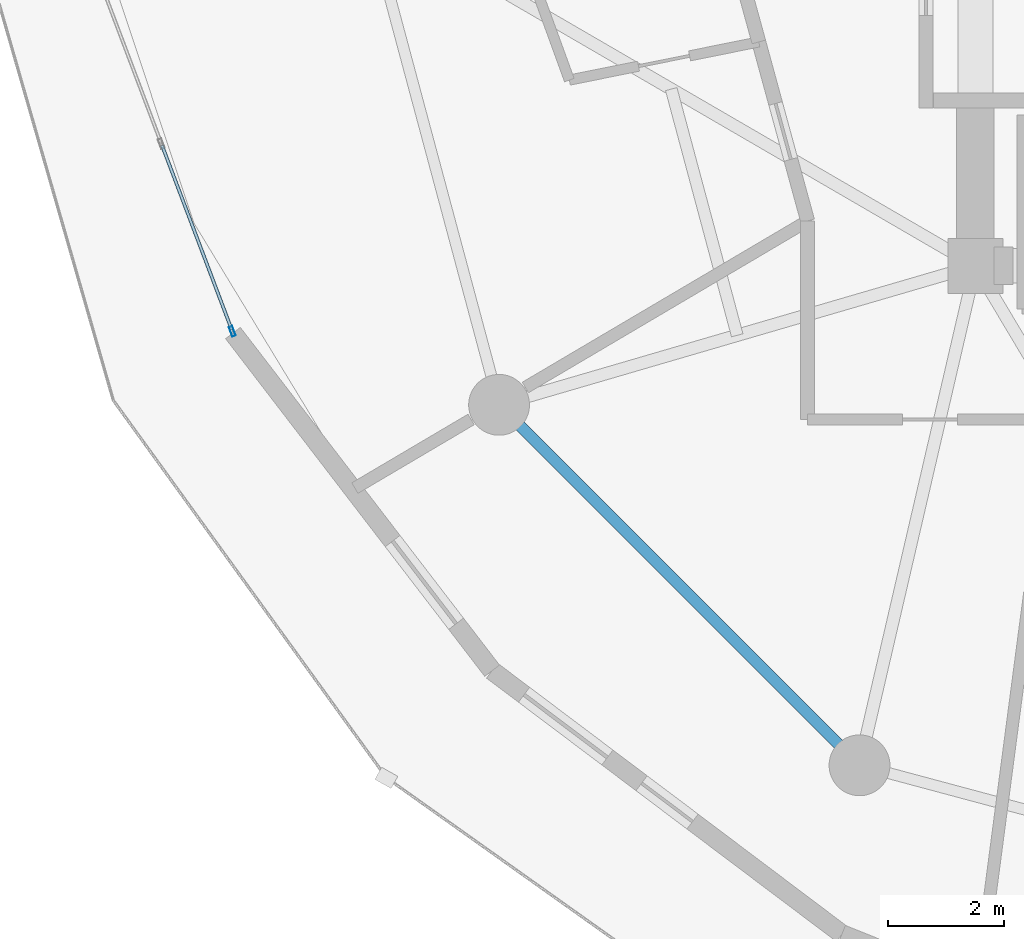
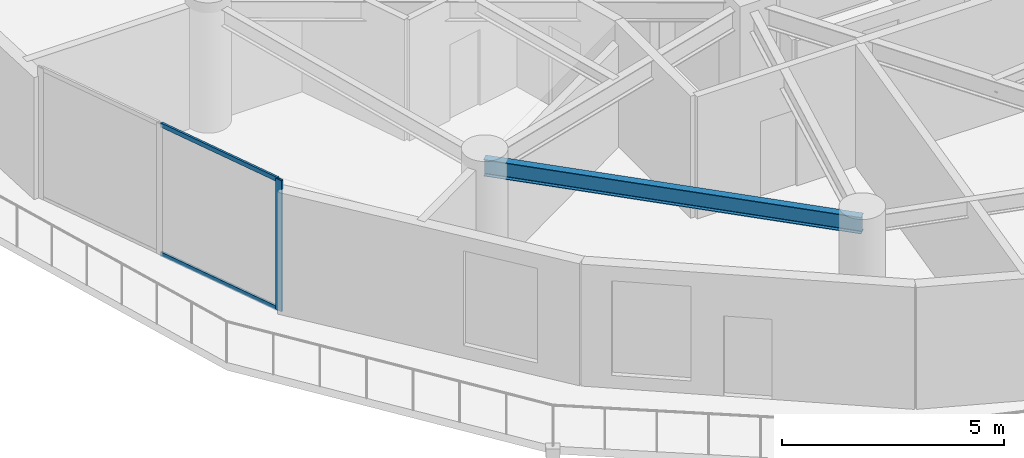
# One storey, part 2 of 25: 3 members, 1 beam, 1 element without a shape of its own.
"""IFC4 building model written with IfcOpenShell, lengths in metres."""

from ifc_helpers import new_model, si_unit, direction, frame, origin, origin_2d, place, context, subcontext, project, spatial, hollow_rectangle, i_section, extrude, source, transform, mapped, material, layer, layer_set, material_profile, profile_set, type_object, element, aggregate, save


model = new_model("IFC4")

# Units and contexts
model_context = context("Model", 3, precision=1e-05, world=origin(), true_north=direction((0.0, 1.0)))
body_context = subcontext(model_context, "Body", "Model", "MODEL_VIEW")
ifc_project = project(units=[si_unit("LENGTHUNIT", "METRE"), si_unit("AREAUNIT", "SQUARE_METRE"), si_unit("VOLUMEUNIT", "CUBIC_METRE"), si_unit("PLANEANGLEUNIT", "RADIAN"), si_unit("MASSUNIT", "GRAM", prefix="KILO")], contexts=[model_context])

# Site, building, storey
site_placement = place(None, origin())
site = spatial("IfcSite", under=ifc_project, at=site_placement, CompositionType="ELEMENT")
building_placement = place(site_placement, origin())
building = spatial("IfcBuilding", under=site, at=building_placement, Name="Solvirekh Grand Hotel", CompositionType="ELEMENT")
storey_placement = place(building_placement, frame((0.0, 0.0, 102.60009765625)))
storey = spatial("IfcBuildingStorey", under=building, at=storey_placement, Name="L25", CompositionType="ELEMENT", Elevation=102.60009765625)

# Beam
ifc_material_1 = material(Name="Steel S355", Category="steel")
ifc_material_profile_1 = material_profile(ifc_material_1, i_section(OverallWidth=0.18994140625, OverallDepth=0.45703125, WebThickness=0.009033203125, FlangeThickness=0.013916015625, FilletRadius=0.012939453125, at=origin_2d()), Name="W460X74")
ifc_profile_set_1 = profile_set([ifc_material_profile_1], Name="Steel S355")
beam_type = type_object("IfcBeamType", Name="Spandrel_Ring_W460", PredefinedType="SPANDREL", material=ifc_profile_set_1)
beam_placement = place(storey_placement, frame((-14.721923828125, -8.5, 3.121826171875), z_axis=(0.707106781187, -0.707106781187, 0.0), x_axis=(0.707106781187, 0.707106781187, 0.0)))
element("IfcBeam", 1, at=beam_placement, inside=storey, type_object=beam_type, Name="L25 perimeter spandrel beam 8", PredefinedType="SPANDREL", context=body_context, shape_type="SweptSolid", body=[
    extrude(i_section(OverallWidth=0.18994140625, OverallDepth=0.45703125, WebThickness=0.009033203125, FlangeThickness=0.013916015625, FilletRadius=0.012939453125, at=origin_2d()), origin(), (0.0, 0.0, 1.0), 8.799072265625),
])

# Curtain wall, members
ifc_material_2 = material(Name="Anodized Bronze Aluminium 6063-T6", Category="aluminium")
ifc_layer = layer(ifc_material_2, 0.175048828125)
ifc_layer_set = layer_set([ifc_layer], Name="Anodized Bronze Aluminium 6063-T6")
curtain_wall_type = type_object("IfcCurtainWallType", Name="CW_Sys3_MidZoneFlushBronzeCW", PredefinedType="NOTDEFINED", material=ifc_layer_set)
curtain_wall_placement = place(storey_placement, origin())
curtain_wall = element("IfcCurtainWall", 2, at=curtain_wall_placement, inside=storey, type_object=curtain_wall_type, Name="L25 unitised bronze-glass curtain wall CW-L25-C13", PredefinedType="NOTDEFINED")
ifc_material_profile_2 = material_profile(ifc_material_2, hollow_rectangle(XDim=0.06494140625, YDim=0.175048828125, WallThickness=0.0048828125, at=origin_2d()), Name="ALU RHS 175X65X5")
ifc_profile_set_2 = profile_set([ifc_material_profile_2], Name="Anodized Bronze Aluminium 6063-T6")
member_type_1 = type_object("IfcMemberType", Name="CWMullion_Sys3", PredefinedType="MULLION", material=ifc_profile_set_2)
shared_shape_1 = source(origin(), body_context, "Body", "SweptSolid", [
    extrude(hollow_rectangle(XDim=0.06494140625, YDim=0.175048828125, WallThickness=0.0048828125, at=origin_2d()), origin(), (0.0, 0.0, 1.0), 3.599853515625),
])
member_1_placement = place(storey_placement, frame((-19.326416015625, -7.230712890625, 0.0), z_axis=(0.0, 0.0, 1.0), x_axis=(0.935420579411, 0.353536899934, 0.0)))
member_1 = element("IfcMember", 3, at=member_1_placement, type_object=member_type_1, Name="U03 mullion 3", PredefinedType="MULLION", context=body_context, shape_type="MappedRepresentation", body=[
    mapped(shared_shape_1, transform((0.0, 0.0, 0.0), x_axis=(1.0, 0.0, 0.0), y_axis=(0.0, 1.0, 0.0), z_axis=(0.0, 0.0, 1.0), scale=1.0)),
])
ifc_material_profile_3 = material_profile(ifc_material_2, hollow_rectangle(XDim=0.054931640625, YDim=0.1201171875, WallThickness=0.00390625, at=origin_2d()), Name="ALU RHS 120X55X4")
ifc_profile_set_3 = profile_set([ifc_material_profile_3], Name="Anodized Bronze Aluminium 6063-T6")
member_type_2 = type_object("IfcMemberType", Name="CWTransom_Sys3", PredefinedType="USERDEFINED", material=ifc_profile_set_3)
shared_shape_2 = source(origin(), body_context, "Body", "SweptSolid", [
    extrude(hollow_rectangle(XDim=0.054931640625, YDim=0.1201171875, WallThickness=0.00390625, at=origin_2d()), origin(), (0.0, 0.0, 1.0), 3.397216796875),
])
member_2_placement = place(storey_placement, frame((-20.5390625, -4.0224609375, 0.02734375), z_axis=(0.353579450188, -0.935404496677, 0.0), x_axis=(0.935404496677, 0.353579450188, 0.0)))
member_2 = element("IfcMember", 4, at=member_2_placement, type_object=member_type_2, Name="U03 transom 2.1", ObjectType="TRANSOM", PredefinedType="USERDEFINED", context=body_context, shape_type="MappedRepresentation", body=[
    mapped(shared_shape_2, transform((0.0, 0.0, 0.0), x_axis=(1.0, 0.0, 0.0), y_axis=(0.0, 1.0, 0.0), z_axis=(0.0, 0.0, 1.0), scale=1.0)),
])
member_3_placement = place(storey_placement, frame((-20.5390625, -4.0224609375, 3.572509765625), z_axis=(0.353579450188, -0.935404496677, 0.0), x_axis=(0.935404496677, 0.353579450188, 0.0)))
member_3 = element("IfcMember", 5, at=member_3_placement, type_object=member_type_2, Name="U03 transom 2.2", ObjectType="TRANSOM", PredefinedType="USERDEFINED", context=body_context, shape_type="MappedRepresentation", body=[
    mapped(shared_shape_2, transform((0.0, 0.0, 0.0), x_axis=(1.0, 0.0, 0.0), y_axis=(0.0, 1.0, 0.0), z_axis=(0.0, 0.0, 1.0), scale=1.0)),
])
aggregate(curtain_wall, [member_1, member_2, member_3])

save(model, "model.ifc")
